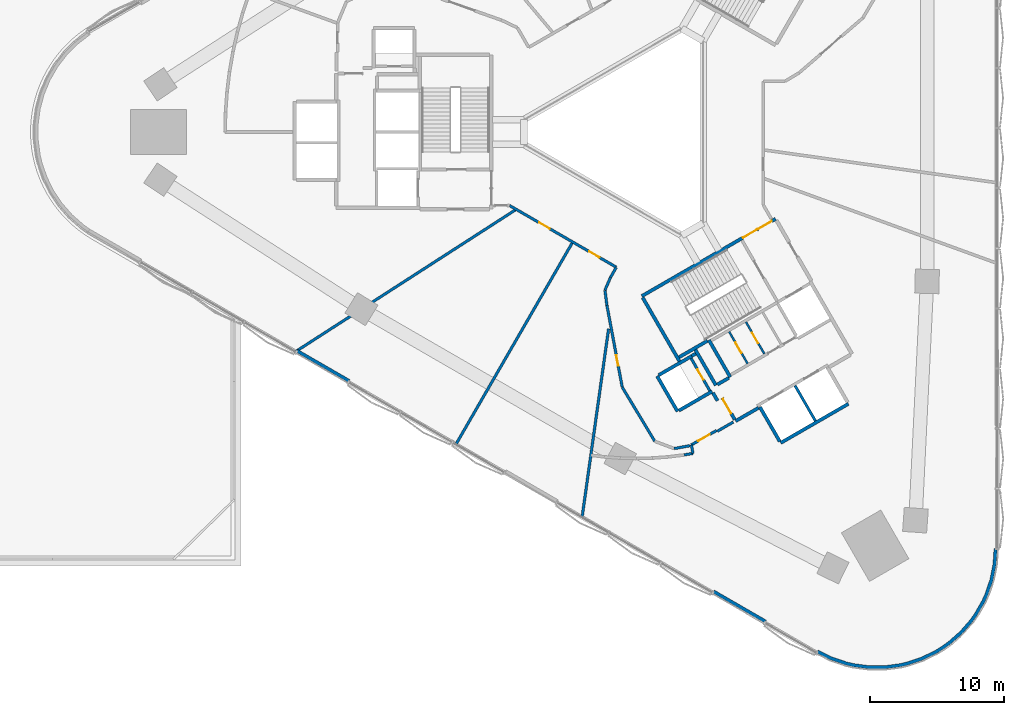
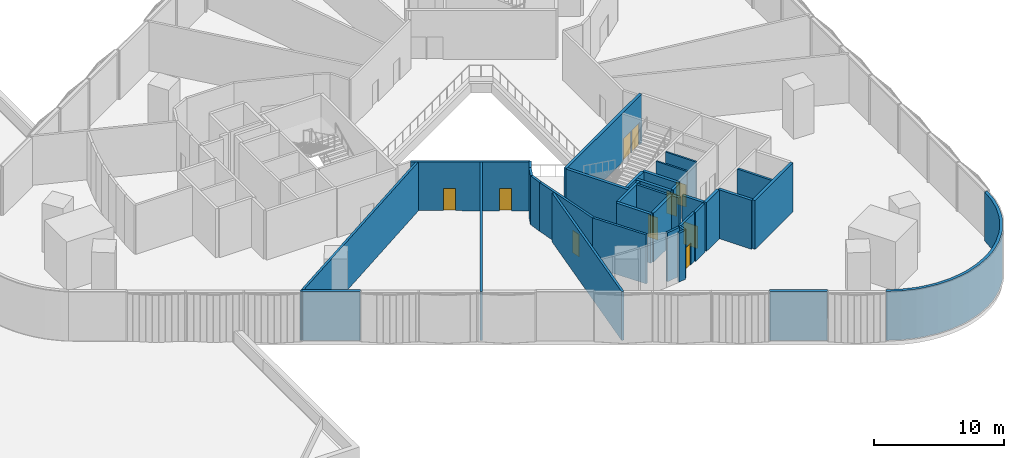
# One storey, part 7 of 14: 36 walls, 10 doors, 10 openings.
"""IFC4 building model written with IfcOpenShell, lengths in metres."""

from ifc_helpers import new_model, si_unit, direction, frame, frame_2d, origin, place, context, subcontext, project, spatial, polyline, rectangle, outline, extrude, material, layer, layer_set, type_object, element, fill, save


model = new_model("IFC4")

# Units and contexts
model_context = context("Model", 3, precision=1e-05, world=origin(), true_north=direction((0.0, 1.0)))
body_context = subcontext(model_context, "Body", "Model", "MODEL_VIEW")
ifc_project = project(units=[si_unit("LENGTHUNIT", "METRE"), si_unit("AREAUNIT", "SQUARE_METRE"), si_unit("VOLUMEUNIT", "CUBIC_METRE"), si_unit("PLANEANGLEUNIT", "RADIAN"), si_unit("MASSUNIT", "GRAM", prefix="KILO")], contexts=[model_context])

# Site, building, storey
site_placement = place(None, origin())
site = spatial("IfcSite", under=ifc_project, at=site_placement, CompositionType="ELEMENT")
building_placement = place(site_placement, origin())
building = spatial("IfcBuilding", under=site, at=building_placement, Name="Tamra Quay Hotel Tower", CompositionType="ELEMENT")
storey_placement = place(building_placement, frame((0.0, 0.0, 24.5)))
storey = spatial("IfcBuildingStorey", under=building, at=storey_placement, Name="L04", CompositionType="ELEMENT", Elevation=24.5)

# Wall
ifc_material_1 = material(Name="Concrete M70", Category="concrete")
ifc_layer_1 = layer(ifc_material_1, 0.199951171875)
ifc_layer_set_1 = layer_set([ifc_layer_1], Name="Concrete M70 core wall 200")
wall_type_1 = type_object("IfcWallType", Name="Concrete M70 core wall 200", PredefinedType="SHEAR", material=ifc_layer_set_1)
wall_1_placement = place(storey_placement, frame((11.87451171875, -18.967041015625, 0.0), z_axis=(0.0, 0.0, 1.0), x_axis=(0.49998131003, -0.866036194175, 0.0)))
element("IfcWall", 1, at=wall_1_placement, inside=storey, type_object=wall_type_1, Name="CW2", PredefinedType="SHEAR", context=body_context, shape_type="SweptSolid", body=[
    extrude(rectangle(XDim=3.0478515625, YDim=0.199951171875, at=frame_2d((1.52392578125, 0.0))), origin(), (0.0, 0.0, 1.0), 4.60009765625),
])

# Wall, opening, door
wall_2_placement = place(storey_placement, frame((5.50341796875, -19.352294921875, 0.0), z_axis=(0.0, 0.0, 1.0), x_axis=(-0.499986818241, 0.866033014143, 0.0)))
wall_2 = element("IfcWall", 2, at=wall_2_placement, inside=storey, type_object=wall_type_1, Name="CW2", PredefinedType="SHEAR", context=body_context, shape_type="SweptSolid", body=[
    extrude(rectangle(XDim=2.7978515625, YDim=0.199951171875, at=frame_2d((1.39892578125, 0.0))), origin(), (0.0, 0.0, 1.0), 4.60009765625),
])
opening_1_placement = place(wall_2_placement, frame((0.948974609375, 0.0, 0.0)))
opening_1 = element("IfcOpeningElement", 3, at=opening_1_placement, cuts=wall_2, Name="Opening D1", PredefinedType="OPENING", context=body_context, shape_type="SweptSolid", body=[
    extrude(rectangle(XDim=0.89990234375, YDim=2.10009765625, at=frame_2d((0.449951171875, 1.050048828125))), frame((0.0, 0.10986328125, 0.0), z_axis=(0.0, -1.0, 0.0), x_axis=(1.0, 0.0, 0.0)), (0.0, 0.0, 1.0), 0.219970703125),
])
ifc_material_2 = material(Name="Core door D1 900x2100 LH")
door_type_1 = type_object("IfcDoorType", Name="Core door D1 900x2100 LH", OperationType="NOTDEFINED", PredefinedType="DOOR", material=ifc_material_2)
door_1_placement = place(opening_1_placement, origin())
door_1 = element("IfcDoor", 4, at=door_1_placement, inside=storey, type_object=door_type_1, Name="D1", OperationType="SINGLE_SWING_LEFT", OverallHeight=2.10009765625, OverallWidth=0.89990234375, PredefinedType="DOOR", context=body_context, shape_type="SweptSolid", body=[
    extrude(rectangle(XDim=0.89990234375, YDim=2.10009765625, at=frame_2d((0.449951171875, 1.050048828125))), frame((0.0, 0.02490234375, 0.0), z_axis=(0.0, -1.0, 0.0), x_axis=(1.0, 0.0, 0.0)), (0.0, 0.0, 1.0), 0.050048828125),
])
fill(opening_1, door_1)

# Wall, openings, doors
ifc_layer_2 = layer(ifc_material_1, 0.25)
ifc_layer_set_2 = layer_set([ifc_layer_2], Name="Concrete M70 core wall 250")
wall_type_2 = type_object("IfcWallType", Name="Concrete M70 core wall 250", PredefinedType="SHEAR", material=ifc_layer_set_2)
wall_3_placement = place(storey_placement, frame((0.417236328125, -12.27294921875, 0.0), z_axis=(0.0, 0.0, 1.0), x_axis=(0.866021906294, 0.500006057782, 0.0)))
wall_3 = element("IfcWall", 5, at=wall_3_placement, inside=storey, type_object=wall_type_2, Name="CW1", PredefinedType="SHEAR", context=body_context, shape_type="SweptSolid", body=[
    extrude(rectangle(XDim=11.550048828125, YDim=0.25, at=frame_2d((5.77490234375, 0.0))), origin(), (0.0, 0.0, 1.0), 4.60009765625),
])
opening_2_placement = place(wall_3_placement, frame((10.024658203125, 0.0, 0.0)))
opening_2 = element("IfcOpeningElement", 6, at=opening_2_placement, cuts=wall_3, Name="Opening FD1", PredefinedType="OPENING", context=body_context, shape_type="SweptSolid", body=[
    extrude(rectangle(XDim=1.199951171875, YDim=2.10009765625, at=frame_2d((0.60009765625, 1.050048828125))), frame((0.0, 0.135009765625, 0.0), z_axis=(0.0, -1.0, 0.0), x_axis=(1.0, 0.0, 0.0)), (0.0, 0.0, 1.0), 0.27001953125),
])
opening_3_placement = place(wall_3_placement, frame((8.724609375, 0.0, 0.0)))
opening_3 = element("IfcOpeningElement", 7, at=opening_3_placement, cuts=wall_3, Name="Opening FD1", PredefinedType="OPENING", context=body_context, shape_type="SweptSolid", body=[
    extrude(rectangle(XDim=1.199951171875, YDim=2.10009765625, at=frame_2d((0.60009765625, 1.050048828125))), frame((0.0, 0.135009765625, 0.0), z_axis=(0.0, -1.0, 0.0), x_axis=(1.0, 0.0, 0.0)), (0.0, 0.0, 1.0), 0.27001953125),
])
ifc_material_3 = material(Name="Core door FD1 1200x2100 LH")
door_type_2 = type_object("IfcDoorType", Name="Core door FD1 1200x2100 LH", OperationType="NOTDEFINED", PredefinedType="DOOR", material=ifc_material_3)
door_2_placement = place(opening_2_placement, origin())
door_2 = element("IfcDoor", 8, at=door_2_placement, inside=storey, type_object=door_type_2, Name="FD1", OperationType="SINGLE_SWING_LEFT", OverallHeight=2.10009765625, OverallWidth=1.199951171875, PredefinedType="DOOR", context=body_context, shape_type="SweptSolid", body=[
    extrude(rectangle(XDim=1.199951171875, YDim=2.10009765625, at=frame_2d((0.60009765625, 1.050048828125))), frame((0.0, 0.02490234375, 0.0), z_axis=(0.0, -1.0, 0.0), x_axis=(1.0, 0.0, 0.0)), (0.0, 0.0, 1.0), 0.050048828125),
])
fill(opening_2, door_2)
ifc_material_4 = material(Name="Core door FD1 1200x2100 RH")
door_type_3 = type_object("IfcDoorType", Name="Core door FD1 1200x2100 RH", OperationType="NOTDEFINED", PredefinedType="DOOR", material=ifc_material_4)
door_3_placement = place(opening_3_placement, origin())
door_3 = element("IfcDoor", 9, at=door_3_placement, inside=storey, type_object=door_type_3, Name="FD1", OperationType="SINGLE_SWING_RIGHT", OverallHeight=2.10009765625, OverallWidth=1.199951171875, PredefinedType="DOOR", context=body_context, shape_type="SweptSolid", body=[
    extrude(rectangle(XDim=1.199951171875, YDim=2.10009765625, at=frame_2d((0.60009765625, 1.050048828125))), frame((0.0, 0.02490234375, 0.0), z_axis=(0.0, -1.0, 0.0), x_axis=(1.0, 0.0, 0.0)), (0.0, 0.0, 1.0), 0.050048828125),
])
fill(opening_3, door_3)

# Walls
wall_4_placement = place(storey_placement, frame((15.86474609375, -20.328369140625, 0.0), z_axis=(0.0, 0.0, 1.0), x_axis=(-0.86602852612, -0.499994591916, 0.0)))
element("IfcWall", 10, at=wall_4_placement, inside=storey, type_object=wall_type_2, Name="CW1", PredefinedType="SHEAR", context=body_context, shape_type="SweptSolid", body=[
    extrude(rectangle(XDim=5.85009765625, YDim=0.25, at=frame_2d((2.925048828125, 0.0))), origin(), (0.0, 0.0, 1.0), 4.60009765625),
])
wall_5_placement = place(storey_placement, frame((3.23486328125, -17.15283203125, 0.0), z_axis=(0.0, 0.0, 1.0), x_axis=(-0.500008851346, 0.866020293397, 0.0)))
element("IfcWall", 11, at=wall_5_placement, inside=storey, type_object=wall_type_2, Name="CW1", PredefinedType="SHEAR", context=body_context, shape_type="SweptSolid", body=[
    extrude(rectangle(XDim=5.509765625, YDim=0.25, at=frame_2d((2.7548828125, 0.0))), origin(), (0.0, 0.0, 1.0), 4.60009765625),
])
wall_6_placement = place(storey_placement, frame((7.030517578125, -18.327392578125, 0.0), z_axis=(0.0, 0.0, 1.0), x_axis=(-0.499971222258, 0.866042017984, 0.0)))
element("IfcWall", 12, at=wall_6_placement, inside=storey, type_object=wall_type_2, Name="CW1", PredefinedType="SHEAR", context=body_context, shape_type="SweptSolid", body=[
    extrude(rectangle(XDim=3.199951171875, YDim=0.25, at=frame_2d((1.60009765625, 0.0))), origin(), (0.0, 0.0, 1.0), 4.60009765625),
])
wall_7_placement = place(storey_placement, frame((10.73583984375, -23.144775390625, 0.0), z_axis=(0.0, 0.0, 1.0), x_axis=(-0.500023226632, 0.866011993467, 0.0)))
element("IfcWall", 13, at=wall_7_placement, inside=storey, type_object=wall_type_2, Name="CW1", PredefinedType="SHEAR", context=body_context, shape_type="SweptSolid", body=[
    extrude(rectangle(XDim=2.974365234375, YDim=0.25, at=frame_2d((1.4873046875, 0.0))), origin(), (0.0, 0.0, 1.0), 4.60009765625),
])
wall_8_placement = place(storey_placement, frame((3.085205078125, -20.893798828125, 0.0), z_axis=(0.0, 0.0, 1.0), x_axis=(-0.499978833458, 0.866037623948, 0.0)))
element("IfcWall", 14, at=wall_8_placement, inside=storey, type_object=wall_type_2, Name="CW1", PredefinedType="SHEAR", context=body_context, shape_type="SweptSolid", body=[
    extrude(rectangle(XDim=3.050048828125, YDim=0.25, at=frame_2d((1.52490234375, 0.0))), origin(), (0.0, 0.0, 1.0), 4.60009765625),
])
wall_9_placement = place(storey_placement, frame((1.6689453125, -18.189697265625, 0.0), z_axis=(0.0, 0.0, 1.0), x_axis=(0.866042235819, 0.499970844928, 0.0)))
element("IfcWall", 15, at=wall_9_placement, inside=storey, type_object=wall_type_2, Name="CW1", PredefinedType="SHEAR", context=body_context, shape_type="SweptSolid", body=[
    extrude(rectangle(XDim=2.864501953125, YDim=0.25, at=frame_2d((1.43212890625, 0.0))), origin(), (0.0, 0.0, 1.0), 4.60009765625),
])
wall_10_placement = place(storey_placement, frame((5.6748046875, -19.39892578125, 0.0), z_axis=(0.0, 0.0, 1.0), x_axis=(-0.866026637627, -0.499997862916, 0.0)))
element("IfcWall", 16, at=wall_10_placement, inside=storey, type_object=wall_type_2, Name="CW1", PredefinedType="SHEAR", context=body_context, shape_type="SweptSolid", body=[
    extrude(rectangle(XDim=2.86474609375, YDim=0.25, at=frame_2d((1.432373046875, 0.0))), origin(), (0.0, 0.0, 1.0), 4.60009765625),
])
wall_11_placement = place(storey_placement, frame((4.414306640625, -16.275634765625, 0.0), z_axis=(0.0, 0.0, 1.0), x_axis=(0.500003324108, -0.866023484601, 0.0)))
element("IfcWall", 17, at=wall_11_placement, inside=storey, type_object=wall_type_2, Name="CW1", PredefinedType="SHEAR", context=body_context, shape_type="SweptSolid", body=[
    extrude(rectangle(XDim=3.0849609375, YDim=0.25, at=frame_2d((1.54248046875, 0.0))), origin(), (0.0, 0.0, 1.0), 4.60009765625),
])
wall_12_placement = place(storey_placement, frame((5.322021484375, -15.618896484375, 0.0), z_axis=(0.0, 0.0, 1.0), x_axis=(-0.866026229868, -0.499998569178, 0.0)))
element("IfcWall", 18, at=wall_12_placement, inside=storey, type_object=wall_type_2, Name="CW1", PredefinedType="SHEAR", context=body_context, shape_type="SweptSolid", body=[
    extrude(rectangle(XDim=2.44921875, YDim=0.25, at=frame_2d((1.224609375, 0.0))), origin(), (0.0, 0.0, 1.0), 4.60009765625),
])
wall_13_placement = place(storey_placement, frame((9.139892578125, -20.63134765625, 0.0), z_axis=(0.0, 0.0, 1.0), x_axis=(-0.866043531843, -0.499968599967, 0.0)))
element("IfcWall", 19, at=wall_13_placement, inside=storey, type_object=wall_type_2, Name="CW1", PredefinedType="SHEAR", context=body_context, shape_type="SweptSolid", body=[
    extrude(rectangle(XDim=1.974853515625, YDim=0.25, at=frame_2d((0.9873046875, 0.0))), origin(), (0.0, 0.0, 1.0), 4.60009765625),
])

# Wall, opening, door
wall_14_placement = place(storey_placement, frame((7.3671875, -21.51025390625, 0.0), z_axis=(0.0, 0.0, 1.0), x_axis=(-0.499983108224, 0.866035156036, 0.0)))
wall_14 = element("IfcWall", 20, at=wall_14_placement, inside=storey, type_object=wall_type_2, Name="CW1", PredefinedType="SHEAR", context=body_context, shape_type="SweptSolid", body=[
    extrude(rectangle(XDim=1.86474609375, YDim=0.25, at=frame_2d((0.932373046875, 0.0))), origin(), (0.0, 0.0, 1.0), 4.60009765625),
])
opening_4_placement = place(wall_14_placement, frame((0.53466796875, 0.0, 0.0)))
opening_4 = element("IfcOpeningElement", 21, at=opening_4_placement, cuts=wall_14, Name="Opening FD3", PredefinedType="OPENING", context=body_context, shape_type="SweptSolid", body=[
    extrude(rectangle(XDim=1.25, YDim=2.10009765625, at=frame_2d((0.625, 1.050048828125))), frame((0.0, 0.135009765625, 0.0), z_axis=(0.0, -1.0, 0.0), x_axis=(1.0, 0.0, 0.0)), (0.0, 0.0, 1.0), 0.27001953125),
])
ifc_material_5 = material(Name="Core door FD3 1250x2100 LH")
door_type_4 = type_object("IfcDoorType", Name="Core door FD3 1250x2100 LH", OperationType="NOTDEFINED", PredefinedType="DOOR", material=ifc_material_5)
door_4_placement = place(opening_4_placement, origin())
door_4 = element("IfcDoor", 22, at=door_4_placement, inside=storey, type_object=door_type_4, Name="FD3", OperationType="SINGLE_SWING_LEFT", OverallHeight=2.10009765625, OverallWidth=1.25, PredefinedType="DOOR", context=body_context, shape_type="SweptSolid", body=[
    extrude(rectangle(XDim=1.25, YDim=2.10009765625, at=frame_2d((0.625, 1.050048828125))), frame((0.0, 0.02490234375, 0.0), z_axis=(0.0, -1.0, 0.0), x_axis=(1.0, 0.0, 0.0)), (0.0, 0.0, 1.0), 0.050048828125),
])
fill(opening_4, door_4)

# Walls
wall_15_placement = place(storey_placement, frame((6.0654296875, -18.884765625, 0.0), z_axis=(0.0, 0.0, 1.0), x_axis=(0.866017078145, 0.500014420154, 0.0)))
element("IfcWall", 23, at=wall_15_placement, inside=storey, type_object=wall_type_2, Name="CW1", PredefinedType="SHEAR", context=body_context, shape_type="SweptSolid", body=[
    extrude(rectangle(XDim=0.9892578125, YDim=0.25, at=frame_2d((0.49462890625, 0.0))), origin(), (0.0, 0.0, 1.0), 4.60009765625),
])
wall_16_placement = place(storey_placement, frame((6.07958984375, -20.100341796875, 0.0), z_axis=(0.0, 0.0, 1.0), x_axis=(-0.500051773299, 0.865995510393, 0.0)))
element("IfcWall", 24, at=wall_16_placement, inside=storey, type_object=wall_type_2, Name="CW1", PredefinedType="SHEAR", context=body_context, shape_type="SweptSolid", body=[
    extrude(rectangle(XDim=0.6845703125, YDim=0.25, at=frame_2d((0.34228515625, 0.0))), origin(), (0.0, 0.0, 1.0), 4.60009765625),
])
wall_17_placement = place(storey_placement, frame((4.144775390625, -16.748779296875, 0.0), z_axis=(0.0, 0.0, 1.0), x_axis=(0.866185586049, 0.49972245349, 0.0)))
element("IfcWall", 25, at=wall_17_placement, inside=storey, type_object=wall_type_2, Name="CW1", PredefinedType="SHEAR", context=body_context, shape_type="SweptSolid", body=[
    extrude(rectangle(XDim=0.344482421875, YDim=0.25, at=frame_2d((0.17236328125, 0.0))), origin(), (0.0, 0.0, 1.0), 4.60009765625),
])

# Wall, opening, door
ifc_material_6 = material(Name="Blockwork", Category="masonry")
ifc_layer_3 = layer(ifc_material_6, 0.14990234375)
ifc_layer_set_3 = layer_set([ifc_layer_3], Name="Core partition block 150")
wall_type_3 = type_object("IfcWallType", Name="Core partition block 150", PredefinedType="PARTITIONING", material=ifc_layer_set_3)
wall_18_placement = place(storey_placement, frame((8.20654296875, -14.214111328125, 0.0), z_axis=(0.0, 0.0, 1.0), x_axis=(0.50002746344, -0.86600954718, 0.0)))
wall_18 = element("IfcWall", 26, at=wall_18_placement, inside=storey, type_object=wall_type_3, Name="CP1", PredefinedType="PARTITIONING", context=body_context, shape_type="SweptSolid", body=[
    extrude(rectangle(XDim=2.748291015625, YDim=0.14990234375, at=frame_2d((1.3740234375, 0.0))), origin(), (0.0, 0.0, 1.0), 4.60009765625),
])
opening_5_placement = place(wall_18_placement, frame((0.92431640625, 0.0, 0.0)))
opening_5 = element("IfcOpeningElement", 27, at=opening_5_placement, cuts=wall_18, Name="Opening D2", PredefinedType="OPENING", context=body_context, shape_type="SweptSolid", body=[
    extrude(rectangle(XDim=0.89990234375, YDim=2.10009765625, at=frame_2d((0.449951171875, 1.050048828125))), frame((0.0, 0.0849609375, 0.0), z_axis=(0.0, -1.0, 0.0), x_axis=(1.0, 0.0, 0.0)), (0.0, 0.0, 1.0), 0.169921875),
])
ifc_material_7 = material(Name="Core door D2 900x2100 RH")
door_type_5 = type_object("IfcDoorType", Name="Core door D2 900x2100 RH", OperationType="NOTDEFINED", PredefinedType="DOOR", material=ifc_material_7)
door_5_placement = place(opening_5_placement, origin())
door_5 = element("IfcDoor", 28, at=door_5_placement, inside=storey, type_object=door_type_5, Name="D2", OperationType="SINGLE_SWING_RIGHT", OverallHeight=2.10009765625, OverallWidth=0.89990234375, PredefinedType="DOOR", context=body_context, shape_type="SweptSolid", body=[
    extrude(rectangle(XDim=0.89990234375, YDim=2.10009765625, at=frame_2d((0.449951171875, 1.050048828125))), frame((0.0, 0.02490234375, 0.0), z_axis=(0.0, -1.0, 0.0), x_axis=(1.0, 0.0, 0.0)), (0.0, 0.0, 1.0), 0.050048828125),
])
fill(opening_5, door_5)

wall_19_placement = place(storey_placement, frame((6.950927734375, -14.93896484375, 0.0), z_axis=(0.0, 0.0, 1.0), x_axis=(0.499988999718, -0.866031754707, 0.0)))
wall_19 = element("IfcWall", 29, at=wall_19_placement, inside=storey, type_object=wall_type_3, Name="CP1", PredefinedType="PARTITIONING", context=body_context, shape_type="SweptSolid", body=[
    extrude(rectangle(XDim=2.74853515625, YDim=0.14990234375, at=frame_2d((1.374267578125, 0.0))), origin(), (0.0, 0.0, 1.0), 4.60009765625),
])
opening_6_placement = place(wall_19_placement, frame((0.92431640625, 0.0, 0.0)))
opening_6 = element("IfcOpeningElement", 30, at=opening_6_placement, cuts=wall_19, Name="Opening D2", PredefinedType="OPENING", context=body_context, shape_type="SweptSolid", body=[
    extrude(rectangle(XDim=0.89990234375, YDim=2.10009765625, at=frame_2d((0.449951171875, 1.050048828125))), frame((0.0, 0.0849609375, 0.0), z_axis=(0.0, -1.0, 0.0), x_axis=(1.0, 0.0, 0.0)), (0.0, 0.0, 1.0), 0.169921875),
])
ifc_material_8 = material(Name="Core door D2 900x2100 LH")
door_type_6 = type_object("IfcDoorType", Name="Core door D2 900x2100 LH", OperationType="NOTDEFINED", PredefinedType="DOOR", material=ifc_material_8)
door_6_placement = place(opening_6_placement, origin())
door_6 = element("IfcDoor", 31, at=door_6_placement, inside=storey, type_object=door_type_6, Name="D2", OperationType="SINGLE_SWING_LEFT", OverallHeight=2.10009765625, OverallWidth=0.89990234375, PredefinedType="DOOR", context=body_context, shape_type="SweptSolid", body=[
    extrude(rectangle(XDim=0.89990234375, YDim=2.10009765625, at=frame_2d((0.449951171875, 1.050048828125))), frame((0.0, 0.02490234375, 0.0), z_axis=(0.0, -1.0, 0.0), x_axis=(1.0, 0.0, 0.0)), (0.0, 0.0, 1.0), 0.050048828125),
])
fill(opening_6, door_6)

# Walls
ifc_material_9 = material(Name="Blockwork masonry plastered", Category="masonry")
ifc_layer_4 = layer(ifc_material_9, 0.25)
ifc_layer_set_4 = layer_set([ifc_layer_4], Name="EXTERNAL WALL 250")
wall_type_4 = type_object("IfcWallType", Name="EXTERNAL WALL 250", PredefinedType="SOLIDWALL", material=ifc_layer_set_4)
wall_20_placement = place(storey_placement, frame((-21.47314453125, -18.62060546875, 0.0), z_axis=(0.0, 0.0, 1.0), x_axis=(-0.865894343596, 0.500226934229, 0.0)))
element("IfcWall", 32, at=wall_20_placement, inside=storey, type_object=wall_type_4, Name="EW1", PredefinedType="SOLIDWALL", context=body_context, shape_type="SweptSolid", body=[
    extrude(rectangle(XDim=4.49609375, YDim=0.25, at=frame_2d((2.248046875, 0.0))), origin(), (0.0, 0.0, 1.0), 4.60009765625),
])
wall_21_placement = place(storey_placement, frame((9.669677734375, -36.61376953125, 0.0), z_axis=(0.0, 0.0, 1.0), x_axis=(-0.865880754896, 0.500250455572, 0.0)))
element("IfcWall", 33, at=wall_21_placement, inside=storey, type_object=wall_type_4, Name="EW1", PredefinedType="SOLIDWALL", context=body_context, shape_type="SweptSolid", body=[
    extrude(rectangle(XDim=4.495849609375, YDim=0.25, at=frame_2d((2.248046875, 0.0))), origin(), (0.0, 0.0, 1.0), 4.60009765625),
])
wall_22_placement = place(storey_placement, origin())
element("IfcWall", 34, at=wall_22_placement, inside=storey, type_object=wall_type_4, Name="EW1", PredefinedType="SOLIDWALL", context=body_context, shape_type="SweptSolid", body=[
    extrude(outline(polyline([(13.5, -38.97119140625), (14.555908203125, -39.491943359375), (15.670654296875, -39.870361328125), (16.244140625, -40.00390625), (17.411376953125, -40.15771484375), (18.588623046875, -40.15771484375), (19.755859375, -40.00390625), (20.329345703125, -39.870361328125), (21.444091796875, -39.491943359375), (22.5, -38.97119140625), (23.000244140625, -38.66015625), (23.478759765625, -38.317138671875), (24.364013671875, -37.540771484375), (25.14013671875, -36.65576171875), (25.483154296875, -36.177001953125), (26.07177734375, -35.157470703125), (26.31494140625, -34.62109375), (26.693359375, -33.50634765625), (26.923095703125, -32.3515625), (27.0, -31.177001953125), (26.75048828125, -31.16064453125), (26.674560546875, -32.31884765625), (26.451416015625, -33.44140625), (26.08203125, -34.529052734375), (25.84912109375, -35.043212890625), (25.27294921875, -36.04150390625), (24.944091796875, -36.500244140625), (24.186767578125, -37.36376953125), (23.3232421875, -38.12109375), (22.861083984375, -38.4521484375), (22.37841796875, -38.75244140625), (21.348388671875, -39.26025390625), (20.2607421875, -39.629638671875), (19.7109375, -39.7578125), (18.572265625, -39.90771484375), (17.427734375, -39.90771484375), (16.2890625, -39.7578125), (15.7392578125, -39.629638671875), (14.651611328125, -39.26025390625), (13.610595703125, -38.746826171875), (13.5, -38.97119140625)])), origin(), (0.0, 0.0, 1.0), 4.60009765625),
])

# Wall, openings, doors
ifc_material_10 = material(Name="Partition corridor wall")
ifc_layer_5 = layer(ifc_material_10, 0.199951171875)
ifc_layer_set_5 = layer_set([ifc_layer_5], Name="Partition corridor wall")
wall_type_5 = type_object("IfcWallType", Name="Partition corridor wall", PredefinedType="PARTITIONING", material=ifc_layer_set_5)
wall_23_placement = place(storey_placement, frame((-9.462890625, -5.506103515625, 0.0), z_axis=(0.0, 0.0, 1.0), x_axis=(0.865865073245, -0.500277597875, 0.0)))
wall_23 = element("IfcWall", 35, at=wall_23_placement, inside=storey, type_object=wall_type_5, Name="W-C", PredefinedType="PARTITIONING", context=body_context, shape_type="SweptSolid", body=[
    extrude(rectangle(XDim=9.198974609375, YDim=0.199951171875, at=frame_2d((4.599609375, 0.0))), origin(), (0.0, 0.0, 1.0), 4.60009765625),
])
opening_7_placement = place(wall_23_placement, frame((2.552001953125, 0.0, 0.0)))
opening_7 = element("IfcOpeningElement", 36, at=opening_7_placement, cuts=wall_23, Name="Opening L04-D009", PredefinedType="OPENING", context=body_context, shape_type="SweptSolid", body=[
    extrude(rectangle(XDim=0.89990234375, YDim=2.10009765625, at=frame_2d((0.449951171875, 1.050048828125))), frame((0.0, 0.10986328125, 0.0), z_axis=(0.0, -1.0, 0.0), x_axis=(1.0, 0.0, 0.0)), (0.0, 0.0, 1.0), 0.219970703125),
])
opening_8_placement = place(wall_23_placement, frame((6.86572265625, 0.0, 0.0)))
opening_8 = element("IfcOpeningElement", 37, at=opening_8_placement, cuts=wall_23, Name="Opening L04-D010", PredefinedType="OPENING", context=body_context, shape_type="SweptSolid", body=[
    extrude(rectangle(XDim=0.89990234375, YDim=2.10009765625, at=frame_2d((0.449951171875, 1.050048828125))), frame((0.0, 0.10986328125, 0.0), z_axis=(0.0, -1.0, 0.0), x_axis=(1.0, 0.0, 0.0)), (0.0, 0.0, 1.0), 0.219970703125),
])
ifc_material_11 = material(Name="Door service room 900x2100")
door_type_7 = type_object("IfcDoorType", Name="Door service room 900x2100", OperationType="NOTDEFINED", PredefinedType="DOOR", material=ifc_material_11)
door_7_placement = place(opening_7_placement, frame((0.89990234375, 0.0, 0.0), z_axis=(0.0, 0.0, 1.0), x_axis=(-1.0, 0.0, 0.0)))
door_7 = element("IfcDoor", 38, at=door_7_placement, inside=storey, type_object=door_type_7, Name="L04-D009", OperationType="SINGLE_SWING_LEFT", OverallHeight=2.10009765625, OverallWidth=0.89990234375, PredefinedType="DOOR", context=body_context, shape_type="SweptSolid", body=[
    extrude(rectangle(XDim=0.89990234375, YDim=2.10009765625, at=frame_2d((0.449951171875, 1.050048828125))), frame((0.0, 0.02490234375, 0.0), z_axis=(0.0, -1.0, 0.0), x_axis=(1.0, 0.0, 0.0)), (0.0, 0.0, 1.0), 0.050048828125),
])
fill(opening_7, door_7)
door_8_placement = place(opening_8_placement, frame((0.89990234375, 0.0, 0.0), z_axis=(0.0, 0.0, 1.0), x_axis=(-1.0, 0.0, 0.0)))
door_8 = element("IfcDoor", 39, at=door_8_placement, inside=storey, type_object=door_type_7, Name="L04-D010", OperationType="SINGLE_SWING_LEFT", OverallHeight=2.10009765625, OverallWidth=0.89990234375, PredefinedType="DOOR", context=body_context, shape_type="SweptSolid", body=[
    extrude(rectangle(XDim=0.89990234375, YDim=2.10009765625, at=frame_2d((0.449951171875, 1.050048828125))), frame((0.0, 0.02490234375, 0.0), z_axis=(0.0, -1.0, 0.0), x_axis=(1.0, 0.0, 0.0)), (0.0, 0.0, 1.0), 0.050048828125),
])
fill(opening_8, door_8)

# Walls
wall_24_placement = place(storey_placement, frame((-2.342041015625, -11.8349609375, 0.0), z_axis=(0.0, 0.0, 1.0), x_axis=(0.130834272089, -0.991404253192, 0.0)))
element("IfcWall", 40, at=wall_24_placement, inside=storey, type_object=wall_type_5, Name="W-C", PredefinedType="PARTITIONING", context=body_context, shape_type="SweptSolid", body=[
    extrude(rectangle(XDim=1.130859375, YDim=0.199951171875, at=frame_2d((0.5654296875, 0.0))), origin(), (0.0, 0.0, 1.0), 4.60009765625),
])
wall_25_placement = place(storey_placement, frame((-2.341064453125, -11.827880859375, 0.0), z_axis=(0.0, 0.0, 1.0), x_axis=(0.399428841439, 0.916764201214, 0.0)))
element("IfcWall", 41, at=wall_25_placement, inside=storey, type_object=wall_type_5, Name="W-C", PredefinedType="PARTITIONING", context=body_context, shape_type="SweptSolid", body=[
    extrude(rectangle(XDim=1.04150390625, YDim=0.199951171875, at=frame_2d((0.520751953125, 0.0))), origin(), (0.0, 0.0, 1.0), 4.60009765625),
])

# Wall, opening, door
wall_26_placement = place(storey_placement, frame((-2.194091796875, -12.9560546875, 0.0), z_axis=(0.0, 0.0, 1.0), x_axis=(0.183749054017, -0.982973186383, 0.0)))
wall_26 = element("IfcWall", 42, at=wall_26_placement, inside=storey, type_object=wall_type_5, Name="W-C", PredefinedType="PARTITIONING", context=body_context, shape_type="SweptSolid", body=[
    extrude(rectangle(XDim=6.22998046875, YDim=0.199951171875, at=frame_2d((3.114990234375, 0.0))), origin(), (0.0, 0.0, 1.0), 4.60009765625),
])
opening_9_placement = place(wall_26_placement, frame((3.802490234375, 0.0, 0.0)))
opening_9 = element("IfcOpeningElement", 43, at=opening_9_placement, cuts=wall_26, Name="Opening L04-D011", PredefinedType="OPENING", context=body_context, shape_type="SweptSolid", body=[
    extrude(rectangle(XDim=0.800048828125, YDim=2.10009765625, at=frame_2d((0.39990234375, 1.050048828125))), frame((0.0, 0.10986328125, 0.0), z_axis=(0.0, -1.0, 0.0), x_axis=(1.0, 0.0, 0.0)), (0.0, 0.0, 1.0), 0.219970703125),
])
ifc_material_12 = material(Name="Door service room 800x2100")
door_type_8 = type_object("IfcDoorType", Name="Door service room 800x2100", OperationType="NOTDEFINED", PredefinedType="DOOR", material=ifc_material_12)
door_9_placement = place(opening_9_placement, frame((0.800048828125, 0.0, 0.0), z_axis=(0.0, 0.0, 1.0), x_axis=(-1.0, 0.0, 0.0)))
door_9 = element("IfcDoor", 44, at=door_9_placement, inside=storey, type_object=door_type_8, Name="L04-D011", OperationType="SINGLE_SWING_LEFT", OverallHeight=2.10009765625, OverallWidth=0.800048828125, PredefinedType="DOOR", context=body_context, shape_type="SweptSolid", body=[
    extrude(rectangle(XDim=0.800048828125, YDim=2.10009765625, at=frame_2d((0.39990234375, 1.050048828125))), frame((0.0, 0.02490234375, 0.0), z_axis=(0.0, -1.0, 0.0), x_axis=(1.0, 0.0, 0.0)), (0.0, 0.0, 1.0), 0.050048828125),
])
fill(opening_9, door_9)

# Walls
wall_27_placement = place(storey_placement, frame((-1.924072265625, -10.868896484375, 0.0), z_axis=(0.0, 0.0, 1.0), x_axis=(0.499533742691, 0.866294430268, 0.0)))
element("IfcWall", 45, at=wall_27_placement, inside=storey, type_object=wall_type_5, Name="W-C", PredefinedType="PARTITIONING", context=body_context, shape_type="SweptSolid", body=[
    extrude(rectangle(XDim=0.858642578125, YDim=0.199951171875, at=frame_2d((0.42919921875, 0.0))), origin(), (0.0, 0.0, 1.0), 4.60009765625),
])
wall_28_placement = place(storey_placement, frame((-1.047119140625, -19.0859375, 0.0), z_axis=(0.0, 0.0, 1.0), x_axis=(0.515211359032, -0.857063157255, 0.0)))
element("IfcWall", 46, at=wall_28_placement, inside=storey, type_object=wall_type_5, Name="W-C", PredefinedType="PARTITIONING", context=body_context, shape_type="SweptSolid", body=[
    extrude(rectangle(XDim=4.71484375, YDim=0.199951171875, at=frame_2d((2.357421875, 0.0))), origin(), (0.0, 0.0, 1.0), 4.60009765625),
])
wall_29_placement = place(storey_placement, frame((2.8369140625, -23.675048828125, 0.0), z_axis=(0.0, 0.0, 1.0), x_axis=(0.983774851332, 0.179407474447, 0.0)))
element("IfcWall", 47, at=wall_29_placement, inside=storey, type_object=wall_type_5, Name="W-C", PredefinedType="PARTITIONING", context=body_context, shape_type="SweptSolid", body=[
    extrude(rectangle(XDim=1.193359375, YDim=0.199951171875, at=frame_2d((0.5966796875, 0.0))), origin(), (0.0, 0.0, 1.0), 4.60009765625),
])

# Wall, opening, door
wall_30_placement = place(storey_placement, frame((4.115966796875, -23.403076171875, 0.0), z_axis=(0.0, 0.0, 1.0), x_axis=(0.867855523063, 0.49681665742, 0.0)))
wall_30 = element("IfcWall", 48, at=wall_30_placement, inside=storey, type_object=wall_type_5, Name="W-C", PredefinedType="PARTITIONING", context=body_context, shape_type="SweptSolid", body=[
    extrude(rectangle(XDim=2.172119140625, YDim=0.199951171875, at=frame_2d((1.0859375, 0.0))), origin(), (0.0, 0.0, 1.0), 4.60009765625),
])
opening_10_placement = place(wall_30_placement, frame((0.5859375, 0.0, 0.0)))
opening_10 = element("IfcOpeningElement", 49, at=opening_10_placement, cuts=wall_30, Name="Opening L04-D012", PredefinedType="OPENING", context=body_context, shape_type="SweptSolid", body=[
    extrude(rectangle(XDim=1.0, YDim=2.10009765625, at=frame_2d((0.5, 1.050048828125))), frame((0.0, 0.10986328125, 0.0), z_axis=(0.0, -1.0, 0.0), x_axis=(1.0, 0.0, 0.0)), (0.0, 0.0, 1.0), 0.219970703125),
])
ifc_material_13 = material(Name="Door guest room 1000x2100")
door_type_9 = type_object("IfcDoorType", Name="Door guest room 1000x2100", OperationType="NOTDEFINED", PredefinedType="DOOR", material=ifc_material_13)
door_10_placement = place(opening_10_placement, frame((1.0, 0.0, 0.0), z_axis=(0.0, 0.0, 1.0), x_axis=(-1.0, 0.0, 0.0)))
door_10 = element("IfcDoor", 50, at=door_10_placement, inside=storey, type_object=door_type_9, Name="L04-D012", OperationType="SINGLE_SWING_LEFT", OverallHeight=2.10009765625, OverallWidth=1.0, PredefinedType="DOOR", context=body_context, shape_type="SweptSolid", body=[
    extrude(rectangle(XDim=1.0, YDim=2.10009765625, at=frame_2d((0.5, 1.050048828125))), frame((0.0, 0.02490234375, 0.0), z_axis=(0.0, -1.0, 0.0), x_axis=(1.0, 0.0, 0.0)), (0.0, 0.0, 1.0), 0.050048828125),
])
fill(opening_10, door_10)

# Walls
wall_31_placement = place(storey_placement, frame((6.055908203125, -22.384033203125, 0.0), z_axis=(0.0, 0.0, 1.0), x_axis=(0.866276386163, 0.499565033581, 0.0)))
element("IfcWall", 51, at=wall_31_placement, inside=storey, type_object=wall_type_5, Name="W-C", PredefinedType="PARTITIONING", context=body_context, shape_type="SweptSolid", body=[
    extrude(rectangle(XDim=1.387451171875, YDim=0.199951171875, at=frame_2d((0.69384765625, 0.0))), origin(), (0.0, 0.0, 1.0), 4.60009765625),
])
ifc_material_14 = material(Name="Partition party wall")
ifc_layer_6 = layer(ifc_material_14, 0.199951171875)
ifc_layer_set_6 = layer_set([ifc_layer_6], Name="Partition party wall")
wall_type_6 = type_object("IfcWallType", Name="Partition party wall", PredefinedType="PARTITIONING", material=ifc_layer_set_6)
wall_32_placement = place(storey_placement, frame((-25.509033203125, -16.444091796875, 0.0), z_axis=(0.0, 0.0, 1.0), x_axis=(0.840502189504, 0.541808148184, 0.0)))
element("IfcWall", 52, at=wall_32_placement, inside=storey, type_object=wall_type_6, Name="W-P", PredefinedType="PARTITIONING", context=body_context, shape_type="SweptSolid", body=[
    extrude(rectangle(XDim=19.665771484375, YDim=0.199951171875, at=frame_2d((9.8330078125, 0.0))), origin(), (0.0, 0.0, 1.0), 4.60009765625),
])
wall_33_placement = place(storey_placement, frame((-13.49755859375, -23.37841796875, 0.0), z_axis=(0.0, 0.0, 1.0), x_axis=(0.500002732974, 0.866023825895, 0.0)))
element("IfcWall", 53, at=wall_33_placement, inside=storey, type_object=wall_type_6, Name="W-P", PredefinedType="PARTITIONING", context=body_context, shape_type="SweptSolid", body=[
    extrude(rectangle(XDim=17.4931640625, YDim=0.199951171875, at=frame_2d((8.74658203125, 0.0))), origin(), (0.0, 0.0, 1.0), 4.60009765625),
])
wall_34_placement = place(storey_placement, frame((-4.05224609375, -28.83203125, 0.0), z_axis=(0.0, 0.0, 1.0), x_axis=(0.139178988917, 0.990267241225, 0.0)))
element("IfcWall", 54, at=wall_34_placement, inside=storey, type_object=wall_type_6, Name="W-P", PredefinedType="PARTITIONING", context=body_context, shape_type="SweptSolid", body=[
    extrude(rectangle(XDim=14.254150390625, YDim=0.199951171875, at=frame_2d((7.126953125, 0.0))), origin(), (0.0, 0.0, 1.0), 4.60009765625),
])
wall_35_placement = place(storey_placement, frame((3.58203125, -24.14990234375, 0.0), z_axis=(0.0, 0.0, 1.0), x_axis=(0.985230586733, 0.171232855975, 0.0)))
element("IfcWall", 55, at=wall_35_placement, inside=storey, type_object=wall_type_6, Name="W-P", PredefinedType="PARTITIONING", context=body_context, shape_type="SweptSolid", body=[
    extrude(rectangle(XDim=0.665771484375, YDim=0.199951171875, at=frame_2d((0.3330078125, 0.0))), origin(), (0.0, 0.0, 1.0), 4.60009765625),
])
wall_36_placement = place(storey_placement, frame((4.1259765625, -23.39990234375, 0.0), z_axis=(0.0, 0.0, 1.0), x_axis=(0.173526526228, -0.984829195696, 0.0)))
element("IfcWall", 56, at=wall_36_placement, inside=storey, type_object=wall_type_6, Name="W-P", PredefinedType="PARTITIONING", context=body_context, shape_type="SweptSolid", body=[
    extrude(rectangle(XDim=0.645751953125, YDim=0.199951171875, at=frame_2d((0.32275390625, 0.0))), origin(), (0.0, 0.0, 1.0), 4.60009765625),
])

save(model, "model.ifc")
